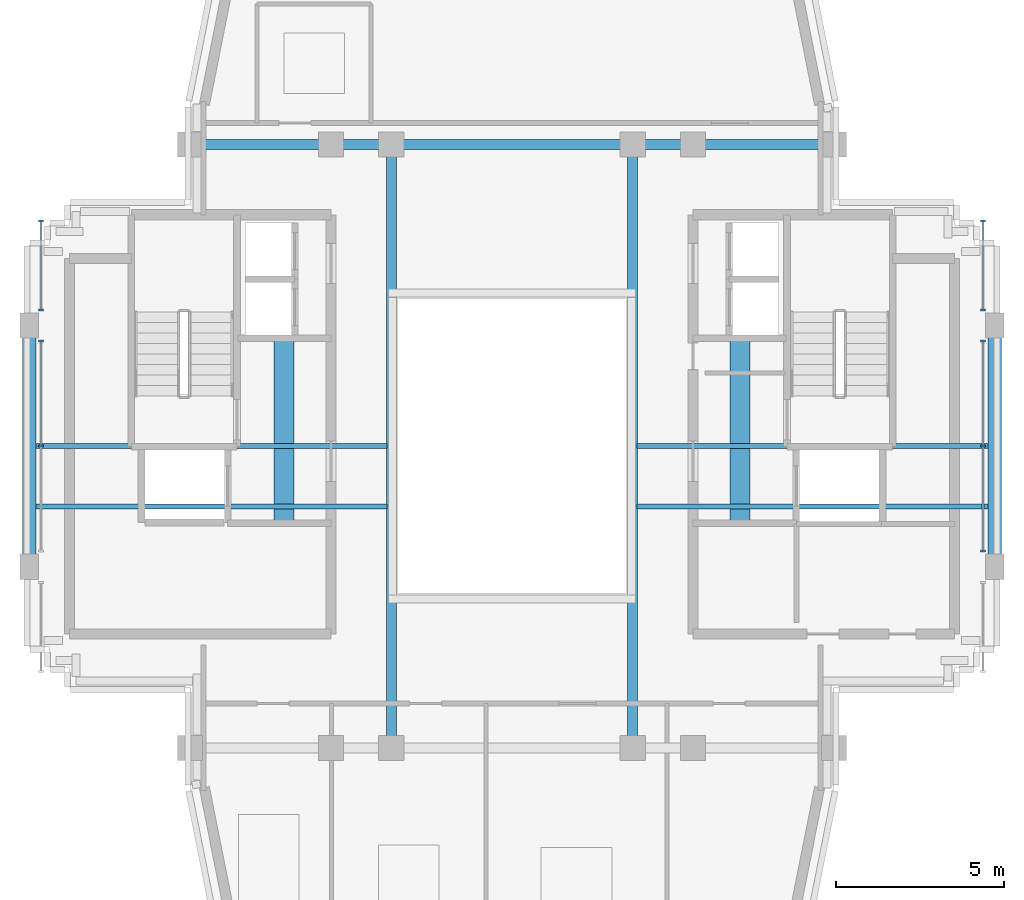
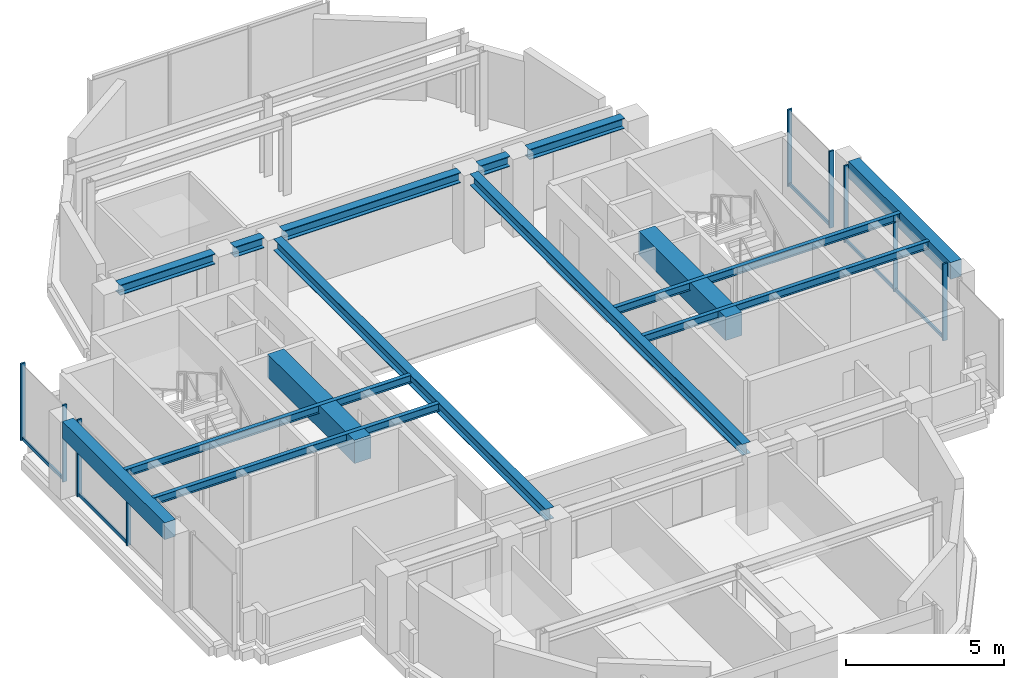
# One storey, part 4 of 10: 15 beams, 14 members, 4 elements without a shape of their own.
"""IFC4 building model written with IfcOpenShell, lengths in metres."""

import ifcopenshell
import ifcopenshell.guid

model = None  # the IFC model being written
_history = None  # IfcOwnerHistory: only IFC2X3 demands one
_inside = {}  # id of a spatial element -> (the spatial element, [elements in it])
_under = {}  # id of a project, library or spatial element -> (it, [spatial elements below it])
_declared = {}  # id of a project -> (the project, [libraries it declares])
_typed = {}  # id of a type object -> (the type object, [elements of that type])
_made_of = {}  # id of a material, layer set ... -> (it, [elements and type objects made of it])


def new_model(schema):
    """Start an empty IFC model of exactly this schema.

    Asked for "IFC4X3", IfcOpenShell would pick the latest addendum, in which some entities
    have other attributes; the version numbers below select the first issue.
    IFC2X3 requires an IfcOwnerHistory on every rooted entity: one is made here for all.
    """
    global model, _history
    if schema == "IFC4X3":
        model = ifcopenshell.file(schema_version=(4, 3, 0, 0))
    else:
        model = ifcopenshell.file(schema=schema)
    _inside.clear()
    _under.clear()
    _declared.clear()
    _typed.clear()
    _made_of.clear()
    _history = None
    if model.schema == "IFC2X3":
        org = make("IfcOrganization", Name="unknown")
        user = make(
            "IfcPersonAndOrganization",
            ThePerson=make("IfcPerson", FamilyName="unknown"),
            TheOrganization=org,
        )
        app = make(
            "IfcApplication",
            ApplicationDeveloper=org,
            Version="unknown",
            ApplicationFullName="unknown",
            ApplicationIdentifier="unknown",
        )
        _history = make(
            "IfcOwnerHistory",
            OwningUser=user,
            OwningApplication=app,
            ChangeAction="ADDED",
            CreationDate=0,
        )
    return model


def make(cls, **values):
    """One entity of the class cls with the attributes given. An attribute that is None is left unset."""
    return model.create_entity(
        cls, **{name: value for name, value in values.items() if value is not None}
    )


def rooted(cls, **values):
    """An entity with a GlobalId (a new one), such as an element, a storey or a relation."""
    return make(cls, GlobalId=ifcopenshell.guid.new(), OwnerHistory=_history, **values)


def si_unit(unit_type, name, prefix=None):
    """IfcSIUnit, for example si_unit("LENGTHUNIT", "METRE", prefix="MILLI")."""
    return make("IfcSIUnit", UnitType=unit_type, Prefix=prefix, Name=name)


def assignment(units):
    """IfcUnitAssignment: the units of a project."""
    return None if units is None else make("IfcUnitAssignment", Units=units)


def point(xyz):
    """IfcCartesianPoint."""
    return None if xyz is None else make("IfcCartesianPoint", Coordinates=xyz)


def direction(xyz):
    """IfcDirection."""
    return None if xyz is None else make("IfcDirection", DirectionRatios=xyz)


def frame(location, z_axis=None, x_axis=None):
    """IfcAxis2Placement3D, a coordinate frame: its origin and axes. An axis left out is left unset."""
    return make(
        "IfcAxis2Placement3D",
        Location=point(location),
        Axis=direction(z_axis),
        RefDirection=direction(x_axis),
    )


def frame_2d(location, x_axis=None):
    """IfcAxis2Placement2D, a coordinate frame in the plane: its origin and x axis."""
    return make(
        "IfcAxis2Placement2D", Location=point(location), RefDirection=direction(x_axis)
    )


def origin():
    """The frame at (0, 0, 0) with its axes left unset."""
    return frame((0.0, 0.0, 0.0))


def origin_2d():
    """The frame at (0, 0) in the plane with its x axis left unset."""
    return frame_2d((0.0, 0.0))


def place(relative_to, where):
    """IfcLocalPlacement: puts the frame where relative to a parent placement (None: the world)."""
    return make(
        "IfcLocalPlacement", PlacementRelTo=relative_to, RelativePlacement=where
    )


def context(
    kind, dimensions, precision=None, world=None, true_north=None, identifier=None
):
    """IfcGeometricRepresentationContext, for example the 3D "Model" context."""
    return make(
        "IfcGeometricRepresentationContext",
        ContextIdentifier=identifier,
        ContextType=kind,
        CoordinateSpaceDimension=dimensions,
        Precision=precision,
        WorldCoordinateSystem=world,
        TrueNorth=true_north,
    )


def subcontext(parent, identifier, kind, view, scale=None):
    """IfcGeometricRepresentationSubContext, for example "Body" below "Model"."""
    return make(
        "IfcGeometricRepresentationSubContext",
        ContextIdentifier=identifier,
        ContextType=kind,
        ParentContext=parent,
        TargetScale=scale,
        TargetView=view,
    )


def project(units=None, contexts=None):
    """IfcProject with its units and contexts."""
    return rooted(
        "IfcProject",
        Name="project",
        RepresentationContexts=contexts,
        UnitsInContext=assignment(units),
    )


def spatial(cls, under=None, at=None, **own):
    """A site, building, storey or space (cls), placed at a placement, below another one or the project."""
    s = rooted(cls, ObjectPlacement=at, **own)
    if under is not None:
        _under.setdefault(under.id(), (under, []))[1].append(s)
    return s


def profile(cls, at=None, kind="AREA", **sizes):
    """A parametric profile (cls). Its sizes go by their IFC names, for example OverallWidth=200.0."""
    return make(cls, ProfileType=kind, Position=at, **sizes)


def rectangle(**sizes):
    """IfcRectangleProfileDef."""
    return profile("IfcRectangleProfileDef", **sizes)


def i_section(**sizes):
    """IfcIShapeProfileDef."""
    return profile("IfcIShapeProfileDef", **sizes)


def extrude(swept, where, along, depth):
    """IfcExtrudedAreaSolid: the profile swept, set in the frame where, extruded along a direction by depth."""
    return make(
        "IfcExtrudedAreaSolid",
        SweptArea=swept,
        Position=where,
        ExtrudedDirection=direction(along),
        Depth=depth,
    )


def shape(context_of_items, identifier, shape_type, items):
    """IfcShapeRepresentation: the items that make up one representation, for example the "Body"."""
    return make(
        "IfcShapeRepresentation",
        ContextOfItems=context_of_items,
        RepresentationIdentifier=identifier,
        RepresentationType=shape_type,
        Items=items,
    )


def source(mapping_origin, context_of_items, identifier, shape_type, items):
    """IfcRepresentationMap: a shape defined once, which mapped items show again and again."""
    return make(
        "IfcRepresentationMap",
        MappingOrigin=mapping_origin,
        MappedRepresentation=shape(context_of_items, identifier, shape_type, items),
    )


def transform(
    local_origin,
    x_axis=None,
    y_axis=None,
    z_axis=None,
    scale=None,
    scale2=None,
    scale3=None,
    uniform=True,
):
    """IfcCartesianTransformationOperator3D, or its non-uniform kind. x_axis, y_axis, z_axis: its Axis1, 2, 3."""
    if uniform:
        return make(
            "IfcCartesianTransformationOperator3D",
            Axis1=direction(x_axis),
            Axis2=direction(y_axis),
            LocalOrigin=point(local_origin),
            Scale=scale,
            Axis3=direction(z_axis),
        )
    return make(
        "IfcCartesianTransformationOperator3DnonUniform",
        Axis1=direction(x_axis),
        Axis2=direction(y_axis),
        LocalOrigin=point(local_origin),
        Scale=scale,
        Axis3=direction(z_axis),
        Scale2=scale2,
        Scale3=scale3,
    )


def mapped(mapping_source, mapping_target):
    """IfcMappedItem: shows the shape of a source again, moved by a transform."""
    return make(
        "IfcMappedItem", MappingSource=mapping_source, MappingTarget=mapping_target
    )


def material(Name=None, Category=None):
    """IfcMaterial."""
    return make("IfcMaterial", Name=Name, Category=Category)


def material_profile(
    of_material, cross_section, Name=None, Category=None, Priority=None
):
    """IfcMaterialProfile: a cross section and its material."""
    return make(
        "IfcMaterialProfile",
        Name=Name,
        Material=of_material,
        Profile=cross_section,
        Priority=Priority,
        Category=Category,
    )


def profile_set(profiles, Name=None, composite=None):
    """IfcMaterialProfileSet."""
    return make(
        "IfcMaterialProfileSet",
        Name=Name,
        MaterialProfiles=profiles,
        CompositeProfile=composite,
    )


def made_of(thing, what):
    """Note that an element or type object is made of a material, layer set ...; save() writes the relation."""
    if what is not None:
        _made_of.setdefault(what.id(), (what, []))[1].append(thing)
    return thing


def type_object(cls, material=None, **own):
    """A type object (cls), such as IfcWallType, which elements share."""
    return made_of(rooted(cls, **own), material)


def element(
    cls,
    number,
    at=None,
    inside=None,
    cuts=None,
    type_object=None,
    material=None,
    context=None,
    identifier="Body",
    shape_type=None,
    held_by="IfcProductDefinitionShape",
    body=None,
    shapes=None,
    **own,
):
    """One element of the class cls, such as IfcWall. Its Tag is "e" and its number.

    at: its placement. inside: the storey or other place that contains it. cuts: it is an
    opening in that element (IfcRelVoidsElement). A single representation is given by context,
    identifier, shape_type and body (its items); several are given by shapes. held_by: the class
    of the entity that holds the representations. save() writes the other relations.
    """
    e = rooted(cls, Tag="e%d" % number, ObjectPlacement=at, **own)
    if body is not None:
        shapes = [shape(context, identifier, shape_type, body)]
    if shapes is not None:
        e.Representation = make(held_by, Representations=shapes)
    if inside is not None:
        _inside.setdefault(inside.id(), (inside, []))[1].append(e)
    if cuts is not None:
        rooted(
            "IfcRelVoidsElement", RelatingBuildingElement=cuts, RelatedOpeningElement=e
        )
    if type_object is not None:
        _typed.setdefault(type_object.id(), (type_object, []))[1].append(e)
    return made_of(e, material)


def aggregate(whole, parts):
    """IfcRelAggregates: a whole, such as a stair, and the parts it consists of."""
    return rooted("IfcRelAggregates", RelatingObject=whole, RelatedObjects=parts)


def save(model, path):
    """Write the relations noted so far, then the file.

    IfcRelAggregates (storeys below a building ...), IfcRelContainedInSpatialStructure (elements
    in a storey), IfcRelDefinesByType, IfcRelAssociatesMaterial and IfcRelDeclares: one each for
    every whole, place, type object, material and project.
    """
    for whole, parts in _under.values():
        aggregate(whole, parts)
    for where, things in _inside.values():
        rooted(
            "IfcRelContainedInSpatialStructure",
            RelatedElements=things,
            RelatingStructure=where,
        )
    for kind, things in _typed.values():
        rooted("IfcRelDefinesByType", RelatedObjects=things, RelatingType=kind)
    for what, things in _made_of.values():
        rooted("IfcRelAssociatesMaterial", RelatedObjects=things, RelatingMaterial=what)
    for by, libraries in _declared.values():
        rooted("IfcRelDeclares", RelatingContext=by, RelatedDefinitions=libraries)
    model.write(path)


model = new_model("IFC4")

# Units and contexts
model_context = context("Model", 3, precision=1e-05, world=origin(), true_north=direction((0.0, 1.0)))
body_context = subcontext(model_context, "Body", "Model", "MODEL_VIEW")
ifc_project = project(units=[si_unit("LENGTHUNIT", "METRE"), si_unit("AREAUNIT", "SQUARE_METRE"), si_unit("VOLUMEUNIT", "CUBIC_METRE"), si_unit("PLANEANGLEUNIT", "RADIAN"), si_unit("MASSUNIT", "GRAM", prefix="KILO")], contexts=[model_context])

# Site, building, storey
site_placement = place(None, origin())
site = spatial("IfcSite", under=ifc_project, at=site_placement, CompositionType="ELEMENT")
building_placement = place(site_placement, origin())
building = spatial("IfcBuilding", under=site, at=building_placement, Name="Keilestroom Media Tower", CompositionType="ELEMENT")
storey_placement = place(building_placement, frame((0.0, 0.0, 262.0)))
storey = spatial("IfcBuildingStorey", under=building, at=storey_placement, Name="L73", CompositionType="ELEMENT", Elevation=262.0)

# Beams
ifc_material_1 = material(Name="Concrete C70/85", Category="concrete")
ifc_material_profile_1 = material_profile(ifc_material_1, rectangle(XDim=0.60009765625, YDim=0.89990234375, at=origin_2d()), Name="RC 600x900")
ifc_profile_set_1 = profile_set([ifc_material_profile_1], Name="Concrete C70/85")
beam_type_1 = type_object("IfcBeamType", Name="Core-Coupling-Lintel-Beam-RC-600x900", PredefinedType="LINTEL", material=ifc_profile_set_1)
shared_shape_1 = source(origin(), body_context, "Body", "SweptSolid", [
    extrude(rectangle(XDim=0.60009765625, YDim=0.89990234375, at=origin_2d()), origin(), (0.0, 0.0, 1.0), 5.52001953125),
])
for number, where, z_axis, x_axis, name in (
    (1, (-6.800048828125, -2.300048828125, 2.56005859375), (0.0, 1.0, 0.0), (-1.0, 0.0, 0.0), "L73 Beam CLB-1 CLB-L73-W"),
    (2, (6.800048828125, -2.300048828125, 2.56005859375), (0.0, 1.0, 0.0), (-1.0, 0.0, 0.0), "L73 Beam CLB-1 CLB-L73-E"),
):
    element("IfcBeam", number, at=place(storey_placement, frame(where, z_axis=z_axis, x_axis=x_axis)), inside=storey, type_object=beam_type_1, Name=name, PredefinedType="LINTEL", context=body_context, shape_type="MappedRepresentation", body=[
        mapped(shared_shape_1, transform((0.0, 0.0, 0.0), x_axis=(1.0, 0.0, 0.0), y_axis=(0.0, 1.0, 0.0), z_axis=(0.0, 0.0, 1.0), scale=1.0)),
    ])
ifc_material_2 = material(Name="Steel S355", Category="steel")
ifc_material_profile_2 = material_profile(ifc_material_2, i_section(OverallWidth=0.300048828125, OverallDepth=0.39990234375, WebThickness=0.011474609375, FlangeThickness=0.02392578125, at=origin_2d()), Name="HEB 400")
ifc_profile_set_2 = profile_set([ifc_material_profile_2], Name="Steel S355")
beam_type_2 = type_object("IfcBeamType", Name="Primary-Structural-Girder-HEB-400", PredefinedType="BEAM", material=ifc_profile_set_2)
shared_shape_2 = source(origin(), body_context, "Body", "SweptSolid", [
    extrude(i_section(OverallWidth=0.300048828125, OverallDepth=0.39990234375, WebThickness=0.011474609375, FlangeThickness=0.02392578125, at=origin_2d()), origin(), (0.0, 0.0, 1.0), 3.490234375),
])
for number, where, z_axis, x_axis, name in (
    (3, (-9.2451171875, 9.0, 2.81005859375), (1.0, 0.0, 0.0), (0.0, 1.0, 0.0), "L73 Beam BG-8 BM-L73-EW-008"),
    (4, (5.7548828125, 9.0, 2.81005859375), (1.0, 0.0, 0.0), (0.0, 1.0, 0.0), "L73 Beam BG-8 BM-L73-EW-012"),
):
    element("IfcBeam", number, at=place(storey_placement, frame(where, z_axis=z_axis, x_axis=x_axis)), inside=storey, type_object=beam_type_2, Name=name, PredefinedType="BEAM", context=body_context, shape_type="MappedRepresentation", body=[
        mapped(shared_shape_2, transform((0.0, 0.0, 0.0), x_axis=(1.0, 0.0, 0.0), y_axis=(0.0, 1.0, 0.0), z_axis=(0.0, 0.0, 1.0), scale=1.0)),
    ])
shared_shape_3 = source(origin(), body_context, "Body", "SweptSolid", [
    extrude(i_section(OverallWidth=0.300048828125, OverallDepth=0.39990234375, WebThickness=0.011474609375, FlangeThickness=0.02392578125, at=origin_2d()), origin(), (0.0, 0.0, 1.0), 1.08984375),
])
for number, where, z_axis, x_axis, name in (
    (5, (-5.044921875, 9.0, 2.81005859375), (1.0, 0.0, 0.0), (0.0, 1.0, 0.0), "L73 Beam BG-8 BM-L73-EW-009"),
    (6, (3.955078125, 9.0, 2.81005859375), (1.0, 0.0, 0.0), (0.0, 1.0, 0.0), "L73 Beam BG-8 BM-L73-EW-011"),
):
    element("IfcBeam", number, at=place(storey_placement, frame(where, z_axis=z_axis, x_axis=x_axis)), inside=storey, type_object=beam_type_2, Name=name, PredefinedType="BEAM", context=body_context, shape_type="MappedRepresentation", body=[
        mapped(shared_shape_3, transform((0.0, 0.0, 0.0), x_axis=(1.0, 0.0, 0.0), y_axis=(0.0, 1.0, 0.0), z_axis=(0.0, 0.0, 1.0), scale=1.0)),
    ])
shared_shape_4 = source(origin(), body_context, "Body", "SweptSolid", [
    extrude(i_section(OverallWidth=0.300048828125, OverallDepth=0.39990234375, WebThickness=0.011474609375, FlangeThickness=0.02392578125, at=origin_2d()), origin(), (0.0, 0.0, 1.0), 6.490234375),
])
beam_placement = place(storey_placement, frame((-3.2451171875, 9.0, 2.81005859375), z_axis=(1.0, 0.0, 0.0), x_axis=(0.0, 1.0, 0.0)))
element("IfcBeam", 7, at=beam_placement, inside=storey, type_object=beam_type_2, Name="L73 Beam BG-8 BM-L73-EW-010", PredefinedType="BEAM", context=body_context, shape_type="MappedRepresentation", body=[
    mapped(shared_shape_4, transform((0.0, 0.0, 0.0), x_axis=(1.0, 0.0, 0.0), y_axis=(0.0, 1.0, 0.0), z_axis=(0.0, 0.0, 1.0), scale=1.0)),
])
ifc_material_3 = material(Name="Precast concrete C40/50", Category="concrete")
ifc_material_profile_3 = material_profile(ifc_material_3, rectangle(XDim=0.39990234375, YDim=0.64990234375, at=origin_2d()), Name="PC 400x650")
ifc_profile_set_3 = profile_set([ifc_material_profile_3], Name="Precast concrete C40/50")
beam_type_3 = type_object("IfcBeamType", Name="Perimeter-Spandrel-Beam-PC-400x650", PredefinedType="SPANDREL", material=ifc_profile_set_3)
shared_shape_5 = source(origin(), body_context, "Body", "SweptSolid", [
    extrude(rectangle(XDim=0.39990234375, YDim=0.64990234375, at=origin_2d()), origin(), (0.0, 0.0, 1.0), 6.490234375),
])
for number, where, z_axis, x_axis, name in (
    (8, (-14.39990234375, -3.2451171875, 2.68505859375), (0.0, 1.0, 0.0), (-1.0, 0.0, 0.0), "L73 Beam SPB-2 BM-L73-NS-017"),
    (9, (14.39990234375, -3.2451171875, 2.68505859375), (0.0, 1.0, 0.0), (-1.0, 0.0, 0.0), "L73 Beam SPB-2 BM-L73-NS-028"),
):
    element("IfcBeam", number, at=place(storey_placement, frame(where, z_axis=z_axis, x_axis=x_axis)), inside=storey, type_object=beam_type_3, Name=name, PredefinedType="SPANDREL", context=body_context, shape_type="MappedRepresentation", body=[
        mapped(shared_shape_5, transform((0.0, 0.0, 0.0), x_axis=(1.0, 0.0, 0.0), y_axis=(0.0, 1.0, 0.0), z_axis=(0.0, 0.0, 1.0), scale=1.0)),
    ])
ifc_material_profile_4 = material_profile(ifc_material_2, i_section(OverallWidth=0.300048828125, OverallDepth=0.43994140625, WebThickness=0.011474609375, FlangeThickness=0.02099609375, at=origin_2d()), Name="HEA 450")
ifc_profile_set_4 = profile_set([ifc_material_profile_4], Name="Steel S355")
beam_type_4 = type_object("IfcBeamType", Name="Primary-Structural-Girder-HEA-450", PredefinedType="BEAM", material=ifc_profile_set_4)
shared_shape_6 = source(origin(), body_context, "Body", "SweptSolid", [
    extrude(i_section(OverallWidth=0.300048828125, OverallDepth=0.43994140625, WebThickness=0.011474609375, FlangeThickness=0.02099609375, at=origin_2d()), origin(), (0.0, 0.0, 1.0), 17.2900390625),
])
for number, where, z_axis, x_axis, name in (
    (10, (-3.60009765625, -8.64501953125, 2.7900390625), (0.0, 1.0, 0.0), (-1.0, 0.0, 0.0), "L73 Beam BG-11 BM-L73-NS-021"),
    (11, (3.60009765625, -8.64501953125, 2.7900390625), (0.0, 1.0, 0.0), (-1.0, 0.0, 0.0), "L73 Beam BG-11 BM-L73-NS-024"),
):
    element("IfcBeam", number, at=place(storey_placement, frame(where, z_axis=z_axis, x_axis=x_axis)), inside=storey, type_object=beam_type_4, Name=name, PredefinedType="BEAM", context=body_context, shape_type="MappedRepresentation", body=[
        mapped(shared_shape_6, transform((0.0, 0.0, 0.0), x_axis=(1.0, 0.0, 0.0), y_axis=(0.0, 1.0, 0.0), z_axis=(0.0, 0.0, 1.0), scale=1.0)),
    ])
ifc_material_profile_5 = material_profile(ifc_material_2, i_section(OverallWidth=0.14990234375, OverallDepth=0.300048828125, WebThickness=0.007080078125, FlangeThickness=0.0107421875, at=origin_2d()), Name="IPE 300")
ifc_profile_set_5 = profile_set([ifc_material_profile_5], Name="Steel S355")
beam_type_5 = type_object("IfcBeamType", Name="Secondary-Floor-Joist-IPE-300", PredefinedType="JOIST", material=ifc_profile_set_5)
shared_shape_7 = source(origin(), body_context, "Body", "SweptSolid", [
    extrude(i_section(OverallWidth=0.14990234375, OverallDepth=0.300048828125, WebThickness=0.007080078125, FlangeThickness=0.0107421875, at=origin_2d()), origin(), (0.0, 0.0, 1.0), 10.489990234375),
])
for number, where, z_axis, x_axis, name in (
    (12, (-14.219970703125, -1.800048828125, 2.860107421875), (1.0, 0.0, 0.0), (0.0, 1.0, 0.0), "L73 Beam BJ-7 JST-L73-029"),
    (13, (3.72998046875, -1.800048828125, 2.860107421875), (1.0, 0.0, 0.0), (0.0, 1.0, 0.0), "L73 Beam BJ-7 JST-L73-031"),
    (14, (-14.219970703125, 0.0, 2.860107421875), (1.0, 0.0, 0.0), (0.0, 1.0, 0.0), "L73 Beam BJ-7 JST-L73-032"),
    (15, (3.72998046875, 0.0, 2.860107421875), (1.0, 0.0, 0.0), (0.0, 1.0, 0.0), "L73 Beam BJ-7 JST-L73-034"),
):
    element("IfcBeam", number, at=place(storey_placement, frame(where, z_axis=z_axis, x_axis=x_axis)), inside=storey, type_object=beam_type_5, Name=name, PredefinedType="JOIST", context=body_context, shape_type="MappedRepresentation", body=[
        mapped(shared_shape_7, transform((0.0, 0.0, 0.0), x_axis=(1.0, 0.0, 0.0), y_axis=(0.0, 1.0, 0.0), z_axis=(0.0, 0.0, 1.0), scale=1.0)),
    ])

# Curtain wall, members
ifc_material_4 = material(Name="Anodised Aluminium Alloy", Category="aluminium")
curtain_wall_type = type_object("IfcCurtainWallType", Name="Unitised-Curtain-Wall-CW-4", PredefinedType="NOTDEFINED", material=ifc_material_4)
curtain_wall_1_placement = place(storey_placement, origin())
curtain_wall_1 = element("IfcCurtainWall", 16, at=curtain_wall_1_placement, inside=storey, type_object=curtain_wall_type, Name="L73 Curtain Wall CW-4 CW-L73-W-2", PredefinedType="NOTDEFINED")
ifc_material_profile_6 = material_profile(ifc_material_4, rectangle(XDim=0.06005859375, YDim=0.159912109375, at=origin_2d()), Name="ALU MULLION 60x160")
ifc_profile_set_6 = profile_set([ifc_material_profile_6], Name="Anodised Aluminium Alloy")
member_type_1 = type_object("IfcMemberType", Name="Curtain-Wall-Mullion-CW-4", PredefinedType="MULLION", material=ifc_profile_set_6)
shared_shape_8 = source(origin(), body_context, "Body", "SweptSolid", [
    extrude(rectangle(XDim=0.06005859375, YDim=0.159912109375, at=origin_2d()), origin(), (0.0, 0.0, 1.0), 2.97998046875),
])
member_1_placement = place(storey_placement, frame((-14.050048828125, 0.0, 0.0), z_axis=(0.0, 0.0, 1.0), x_axis=(0.0, 1.0, 0.0)))
member_1 = element("IfcMember", 17, at=member_1_placement, type_object=member_type_1, Name="CW-4 Mullion 01", PredefinedType="MULLION", context=body_context, shape_type="MappedRepresentation", body=[
    mapped(shared_shape_8, transform((0.0, 0.0, 0.0), x_axis=(1.0, 0.0, 0.0), y_axis=(0.0, 1.0, 0.0), z_axis=(0.0, 0.0, 1.0), scale=1.0)),
])
member_2_placement = place(storey_placement, frame((-14.050048828125, 3.135009765625, 0.0), z_axis=(0.0, 0.0, 1.0), x_axis=(0.0, 1.0, 0.0)))
member_2 = element("IfcMember", 18, at=member_2_placement, type_object=member_type_1, Name="CW-4 Mullion 02", PredefinedType="MULLION", context=body_context, shape_type="MappedRepresentation", body=[
    mapped(shared_shape_8, transform((0.0, 0.0, 0.0), x_axis=(1.0, 0.0, 0.0), y_axis=(0.0, 1.0, 0.0), z_axis=(0.0, 0.0, 1.0), scale=1.0)),
])

curtain_wall_2_placement = place(storey_placement, origin())
curtain_wall_2 = element("IfcCurtainWall", 19, at=curtain_wall_2_placement, inside=storey, type_object=curtain_wall_type, Name="L73 Curtain Wall CW-4 CW-L73-W-3", PredefinedType="NOTDEFINED")
member_3_placement = place(storey_placement, frame((-14.050048828125, 4.06494140625, 0.0), z_axis=(0.0, 0.0, 1.0), x_axis=(0.0, 1.0, 0.0)))
member_3 = element("IfcMember", 20, at=member_3_placement, type_object=member_type_1, Name="CW-4 Mullion 00", PredefinedType="MULLION", context=body_context, shape_type="MappedRepresentation", body=[
    mapped(shared_shape_8, transform((0.0, 0.0, 0.0), x_axis=(1.0, 0.0, 0.0), y_axis=(0.0, 1.0, 0.0), z_axis=(0.0, 0.0, 1.0), scale=1.0)),
])
member_4_placement = place(storey_placement, frame((-14.050048828125, 6.719970703125, 0.0), z_axis=(0.0, 0.0, 1.0), x_axis=(0.0, 1.0, 0.0)))
member_4 = element("IfcMember", 21, at=member_4_placement, type_object=member_type_1, Name="CW-4 Mullion 01", PredefinedType="MULLION", context=body_context, shape_type="MappedRepresentation", body=[
    mapped(shared_shape_8, transform((0.0, 0.0, 0.0), x_axis=(1.0, 0.0, 0.0), y_axis=(0.0, 1.0, 0.0), z_axis=(0.0, 0.0, 1.0), scale=1.0)),
])

curtain_wall_3_placement = place(storey_placement, origin())
curtain_wall_3 = element("IfcCurtainWall", 22, at=curtain_wall_3_placement, inside=storey, type_object=curtain_wall_type, Name="L73 Curtain Wall CW-4 CW-L73-E-2", PredefinedType="NOTDEFINED")
member_5_placement = place(storey_placement, frame((14.050048828125, -3.135009765625, 0.0), z_axis=(0.0, 0.0, 1.0), x_axis=(0.0, 1.0, 0.0)))
member_5 = element("IfcMember", 23, at=member_5_placement, type_object=member_type_1, Name="CW-4 Mullion 00", PredefinedType="MULLION", context=body_context, shape_type="MappedRepresentation", body=[
    mapped(shared_shape_8, transform((0.0, 0.0, 0.0), x_axis=(1.0, 0.0, 0.0), y_axis=(0.0, 1.0, 0.0), z_axis=(0.0, 0.0, 1.0), scale=1.0)),
])
member_6_placement = place(storey_placement, frame((14.050048828125, 0.0, 0.0), z_axis=(0.0, 0.0, 1.0), x_axis=(0.0, 1.0, 0.0)))
member_6 = element("IfcMember", 24, at=member_6_placement, type_object=member_type_1, Name="CW-4 Mullion 01", PredefinedType="MULLION", context=body_context, shape_type="MappedRepresentation", body=[
    mapped(shared_shape_8, transform((0.0, 0.0, 0.0), x_axis=(1.0, 0.0, 0.0), y_axis=(0.0, 1.0, 0.0), z_axis=(0.0, 0.0, 1.0), scale=1.0)),
])
member_7_placement = place(storey_placement, frame((14.050048828125, 3.135009765625, 0.0), z_axis=(0.0, 0.0, 1.0), x_axis=(0.0, 1.0, 0.0)))
member_7 = element("IfcMember", 25, at=member_7_placement, type_object=member_type_1, Name="CW-4 Mullion 02", PredefinedType="MULLION", context=body_context, shape_type="MappedRepresentation", body=[
    mapped(shared_shape_8, transform((0.0, 0.0, 0.0), x_axis=(1.0, 0.0, 0.0), y_axis=(0.0, 1.0, 0.0), z_axis=(0.0, 0.0, 1.0), scale=1.0)),
])

curtain_wall_4_placement = place(storey_placement, origin())
curtain_wall_4 = element("IfcCurtainWall", 26, at=curtain_wall_4_placement, inside=storey, type_object=curtain_wall_type, Name="L73 Curtain Wall CW-4 CW-L73-E-3", PredefinedType="NOTDEFINED")
member_8_placement = place(storey_placement, frame((14.050048828125, 4.06494140625, 0.0), z_axis=(0.0, 0.0, 1.0), x_axis=(0.0, 1.0, 0.0)))
member_8 = element("IfcMember", 27, at=member_8_placement, type_object=member_type_1, Name="CW-4 Mullion 00", PredefinedType="MULLION", context=body_context, shape_type="MappedRepresentation", body=[
    mapped(shared_shape_8, transform((0.0, 0.0, 0.0), x_axis=(1.0, 0.0, 0.0), y_axis=(0.0, 1.0, 0.0), z_axis=(0.0, 0.0, 1.0), scale=1.0)),
])
member_9_placement = place(storey_placement, frame((14.050048828125, 6.719970703125, 0.0), z_axis=(0.0, 0.0, 1.0), x_axis=(0.0, 1.0, 0.0)))
member_9 = element("IfcMember", 28, at=member_9_placement, type_object=member_type_1, Name="CW-4 Mullion 01", PredefinedType="MULLION", context=body_context, shape_type="MappedRepresentation", body=[
    mapped(shared_shape_8, transform((0.0, 0.0, 0.0), x_axis=(1.0, 0.0, 0.0), y_axis=(0.0, 1.0, 0.0), z_axis=(0.0, 0.0, 1.0), scale=1.0)),
])

# Member
ifc_material_profile_7 = material_profile(ifc_material_4, rectangle(XDim=0.06005859375, YDim=0.1298828125, at=origin_2d()), Name="ALU TRANSOM 60x130")
ifc_profile_set_7 = profile_set([ifc_material_profile_7], Name="Anodised Aluminium Alloy")
member_type_2 = type_object("IfcMemberType", Name="Curtain-Wall-Transom-CW-4", PredefinedType="USERDEFINED", material=ifc_profile_set_7)
shared_shape_9 = source(origin(), body_context, "Body", "SweptSolid", [
    extrude(rectangle(XDim=0.06005859375, YDim=0.1298828125, at=origin_2d()), origin(), (0.0, 0.0, 1.0), 3.078857421875),
])
member_10_placement = place(storey_placement, frame((-14.050048828125, 0.028076171875, 0.06494140625), z_axis=(0.0, 1.0, 0.0), x_axis=(-1.0, 0.0, 0.0)))
member_10 = element("IfcMember", 29, at=member_10_placement, type_object=member_type_2, Name="CW-4 Transom 01.1", ObjectType="TRANSOM", PredefinedType="USERDEFINED", context=body_context, shape_type="MappedRepresentation", body=[
    mapped(shared_shape_9, transform((0.0, 0.0, 0.0), x_axis=(1.0, 0.0, 0.0), y_axis=(0.0, 1.0, 0.0), z_axis=(0.0, 0.0, 1.0), scale=1.0)),
])

aggregate(curtain_wall_1, [member_1, member_2, member_10])

member_11_placement = place(storey_placement, frame((14.050048828125, -3.10693359375, 0.06494140625), z_axis=(0.0, 1.0, 0.0), x_axis=(-1.0, 0.0, 0.0)))
member_11 = element("IfcMember", 30, at=member_11_placement, type_object=member_type_2, Name="CW-4 Transom 00.1", ObjectType="TRANSOM", PredefinedType="USERDEFINED", context=body_context, shape_type="MappedRepresentation", body=[
    mapped(shared_shape_9, transform((0.0, 0.0, 0.0), x_axis=(1.0, 0.0, 0.0), y_axis=(0.0, 1.0, 0.0), z_axis=(0.0, 0.0, 1.0), scale=1.0)),
])

member_12_placement = place(storey_placement, frame((14.050048828125, 0.028076171875, 0.06494140625), z_axis=(0.0, 1.0, 0.0), x_axis=(-1.0, 0.0, 0.0)))
member_12 = element("IfcMember", 31, at=member_12_placement, type_object=member_type_2, Name="CW-4 Transom 01.1", ObjectType="TRANSOM", PredefinedType="USERDEFINED", context=body_context, shape_type="MappedRepresentation", body=[
    mapped(shared_shape_9, transform((0.0, 0.0, 0.0), x_axis=(1.0, 0.0, 0.0), y_axis=(0.0, 1.0, 0.0), z_axis=(0.0, 0.0, 1.0), scale=1.0)),
])

aggregate(curtain_wall_3, [member_5, member_6, member_7, member_11, member_12])

shared_shape_10 = source(origin(), body_context, "Body", "SweptSolid", [
    extrude(rectangle(XDim=0.06005859375, YDim=0.1298828125, at=origin_2d()), origin(), (0.0, 0.0, 1.0), 2.598876953125),
])
member_13_placement = place(storey_placement, frame((-14.050048828125, 4.093017578125, 0.06494140625), z_axis=(0.0, 1.0, 0.0), x_axis=(-1.0, 0.0, 0.0)))
member_13 = element("IfcMember", 32, at=member_13_placement, type_object=member_type_2, Name="CW-4 Transom 00.1", ObjectType="TRANSOM", PredefinedType="USERDEFINED", context=body_context, shape_type="MappedRepresentation", body=[
    mapped(shared_shape_10, transform((0.0, 0.0, 0.0), x_axis=(1.0, 0.0, 0.0), y_axis=(0.0, 1.0, 0.0), z_axis=(0.0, 0.0, 1.0), scale=1.0)),
])

aggregate(curtain_wall_2, [member_3, member_4, member_13])

member_14_placement = place(storey_placement, frame((14.050048828125, 4.093017578125, 0.06494140625), z_axis=(0.0, 1.0, 0.0), x_axis=(-1.0, 0.0, 0.0)))
member_14 = element("IfcMember", 33, at=member_14_placement, type_object=member_type_2, Name="CW-4 Transom 00.1", ObjectType="TRANSOM", PredefinedType="USERDEFINED", context=body_context, shape_type="MappedRepresentation", body=[
    mapped(shared_shape_10, transform((0.0, 0.0, 0.0), x_axis=(1.0, 0.0, 0.0), y_axis=(0.0, 1.0, 0.0), z_axis=(0.0, 0.0, 1.0), scale=1.0)),
])

aggregate(curtain_wall_4, [member_8, member_9, member_14])

save(model, "model.ifc")
